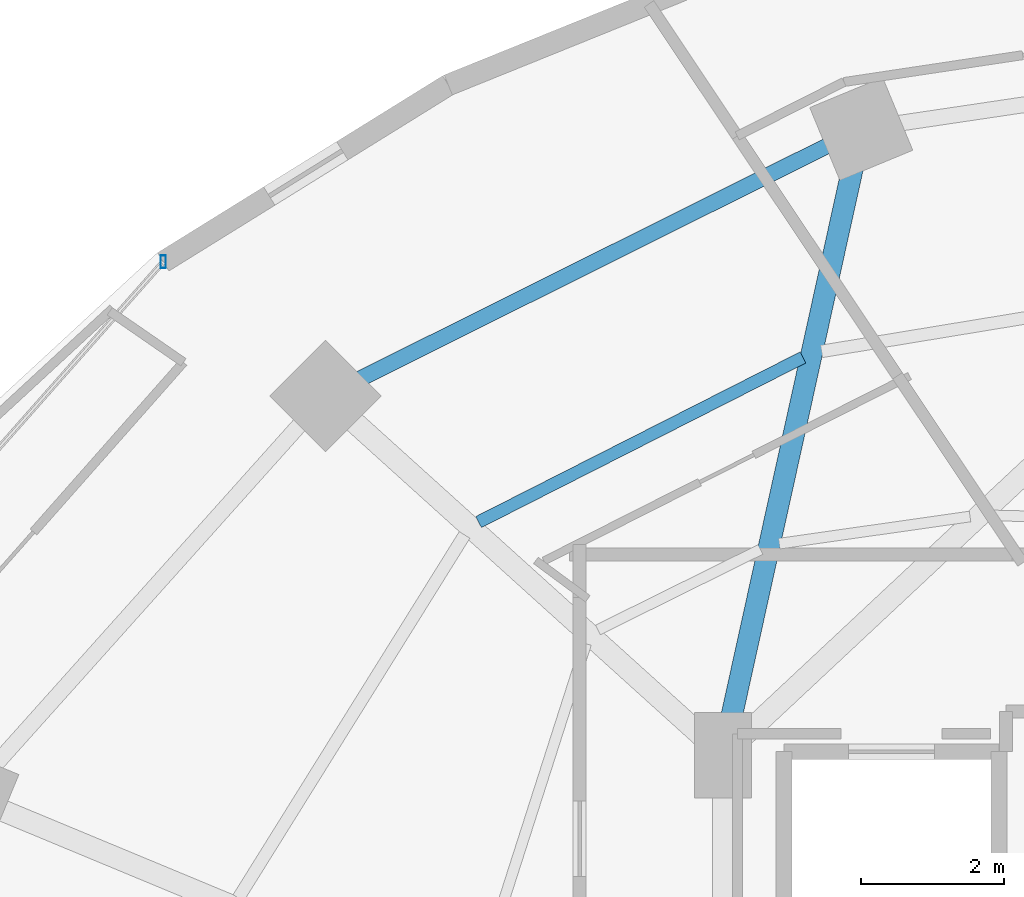
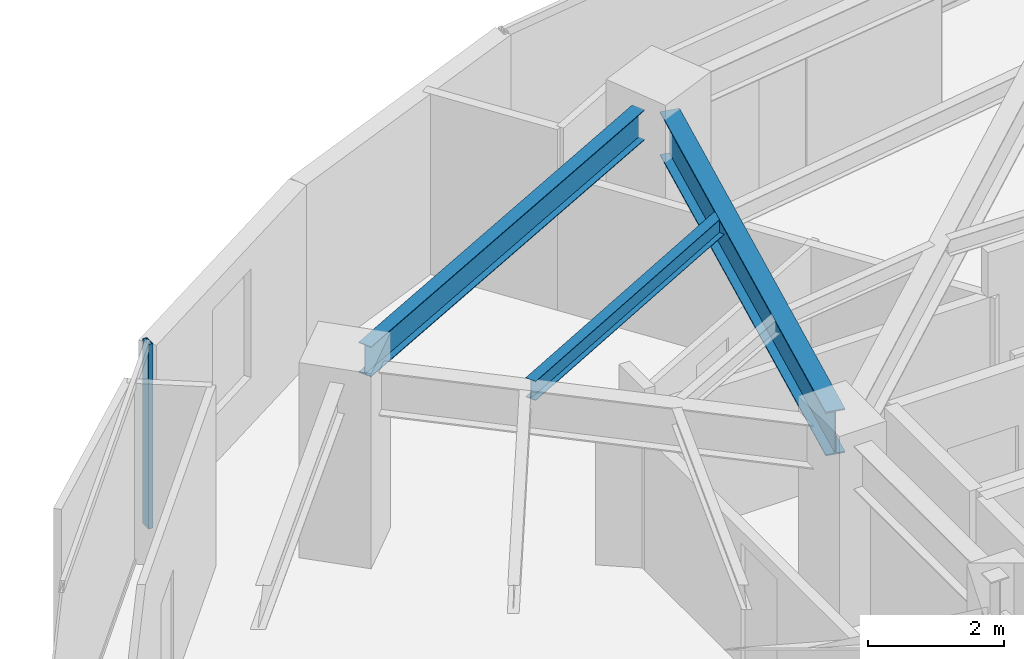
# One storey, part 17 of 29: 3 beams, 1 member, 1 element without a shape of its own.
"""IFC4 building model written with IfcOpenShell, lengths in metres."""

from ifc_helpers import new_model, si_unit, direction, frame, origin, origin_2d, place, context, subcontext, project, spatial, hollow_rectangle, i_section, extrude, material, material_profile, profile_set, type_object, element, aggregate, save


model = new_model("IFC4")

# Units and contexts
model_context = context("Model", 3, precision=1e-05, world=origin(), true_north=direction((0.0, 1.0)))
body_context = subcontext(model_context, "Body", "Model", "MODEL_VIEW")
ifc_project = project(units=[si_unit("LENGTHUNIT", "METRE"), si_unit("AREAUNIT", "SQUARE_METRE"), si_unit("VOLUMEUNIT", "CUBIC_METRE"), si_unit("PLANEANGLEUNIT", "RADIAN"), si_unit("MASSUNIT", "GRAM", prefix="KILO")], contexts=[model_context])

# Site, building, storey
site_placement = place(None, origin())
site = spatial("IfcSite", under=ifc_project, at=site_placement, CompositionType="ELEMENT")
building_placement = place(site_placement, origin())
building = spatial("IfcBuilding", under=site, at=building_placement, Name="Vorneva Point Tower", CompositionType="ELEMENT")
storey_placement = place(building_placement, frame((0.0, 0.0, 82.300048828125)))
storey = spatial("IfcBuildingStorey", under=building, at=storey_placement, Name="L21", CompositionType="ELEMENT", Elevation=82.300048828125)

# Beams
ifc_material_1 = material(Name="Steel S355", Category="steel")
ifc_material_profile_1 = material_profile(ifc_material_1, i_section(OverallWidth=0.300048828125, OverallDepth=0.7880859375, WebThickness=0.014404296875, FlangeThickness=0.02197265625, at=origin_2d()), Name="80Sh1")
ifc_profile_set_1 = profile_set([ifc_material_profile_1], Name="Steel S355")
beam_type_1 = type_object("IfcBeamType", Name="BM-GRD-80Sh1", PredefinedType="USERDEFINED", material=ifc_profile_set_1)
beam_1_placement = place(storey_placement, frame((29.063232421875, 41.365234375, 2.845947265625), z_axis=(-0.215530944428, -0.976497010745, 0.0), x_axis=(0.976497010745, -0.215530944428, 0.0)))
element("IfcBeam", 1, at=beam_1_placement, inside=storey, type_object=beam_type_1, Name="L21 Radial Primary Girder 06", ObjectType="GIRDER", PredefinedType="USERDEFINED", context=body_context, shape_type="SweptSolid", body=[
    extrude(i_section(OverallWidth=0.300048828125, OverallDepth=0.7880859375, WebThickness=0.014404296875, FlangeThickness=0.02197265625, at=origin_2d()), origin(), (0.0, 0.0, 1.0), 8.072998046875),
])
ifc_material_profile_2 = material_profile(ifc_material_1, i_section(OverallWidth=0.174072265625, OverallDepth=0.345947265625, WebThickness=0.006103515625, FlangeThickness=0.009033203125, at=origin_2d()), Name="35B1")
ifc_profile_set_2 = profile_set([ifc_material_profile_2], Name="Steel S355")
beam_type_2 = type_object("IfcBeamType", Name="BM-SEC-35B1", PredefinedType="BEAM", material=ifc_profile_set_2)
beam_2_placement = place(storey_placement, frame((28.365966796875, 38.701416015625, 3.06689453125), z_axis=(-0.891736950486, -0.452554097471, 0.0), x_axis=(0.452554097471, -0.891736950486, 0.0)))
element("IfcBeam", 2, at=beam_2_placement, inside=storey, type_object=beam_type_2, Name="L21 Secondary Floor Beam 1.06", PredefinedType="BEAM", context=body_context, shape_type="SweptSolid", body=[
    extrude(i_section(OverallWidth=0.174072265625, OverallDepth=0.345947265625, WebThickness=0.006103515625, FlangeThickness=0.009033203125, at=origin_2d()), origin(), (0.0, 0.0, 1.0), 5.075927734375),
])
ifc_material_profile_3 = material_profile(ifc_material_1, i_section(OverallWidth=0.219970703125, OverallDepth=0.54296875, WebThickness=0.009521484375, FlangeThickness=0.013427734375, at=origin_2d()), Name="55B1")
ifc_profile_set_3 = profile_set([ifc_material_profile_3], Name="Steel S355")
beam_type_3 = type_object("IfcBeamType", Name="BM-SPN-55B1", PredefinedType="SPANDREL", material=ifc_profile_set_3)
beam_3_placement = place(storey_placement, frame((28.7001953125, 41.652099609375, 2.968505859375), z_axis=(-0.894915882304, -0.446234874926, 0.0), x_axis=(0.446234874926, -0.894915882304, 0.0)))
element("IfcBeam", 3, at=beam_3_placement, inside=storey, type_object=beam_type_3, Name="L21 Perimeter Spandrel Ring Beam 06", PredefinedType="SPANDREL", context=body_context, shape_type="SweptSolid", body=[
    extrude(i_section(OverallWidth=0.219970703125, OverallDepth=0.54296875, WebThickness=0.009521484375, FlangeThickness=0.013427734375, at=origin_2d()), origin(), (0.0, 0.0, 1.0), 7.285888671875),
])

# Curtain wall, member
ifc_material_2 = material(Name="Pale anodised aluminium", Category="aluminium")
curtain_wall_type = type_object("IfcCurtainWallType", Name="CW-HTL-SYS", PredefinedType="NOTDEFINED", material=ifc_material_2)
curtain_wall_placement = place(storey_placement, origin())
curtain_wall = element("IfcCurtainWall", 4, at=curtain_wall_placement, inside=storey, type_object=curtain_wall_type, Name="L21 Unitised Curtain Wall CW-L21-R02", PredefinedType="NOTDEFINED")
ifc_material_profile_4 = material_profile(ifc_material_2, hollow_rectangle(XDim=0.074951171875, YDim=0.179931640625, WallThickness=0.00390625, at=origin_2d()), Name="AL-MUL 180x75x4")
ifc_profile_set_4 = profile_set([ifc_material_profile_4], Name="Pale anodised aluminium")
member_type = type_object("IfcMemberType", Name="CW-MUL-180", PredefinedType="MULLION", material=ifc_profile_set_4)
member_placement = place(storey_placement, frame((19.4384765625, 40.0361328125, -0.0400390625), z_axis=(0.0, 0.0, 1.0), x_axis=(1.0, 0.0, 0.0)))
member = element("IfcMember", 5, at=member_placement, type_object=member_type, Name="CW-L21-R02 Mullion 01", PredefinedType="MULLION", context=body_context, shape_type="SweptSolid", body=[
    extrude(hollow_rectangle(XDim=0.074951171875, YDim=0.179931640625, WallThickness=0.00390625, at=origin_2d()), origin(), (0.0, 0.0, 1.0), 3.31005859375),
])
aggregate(curtain_wall, [member])

save(model, "model.ifc")
